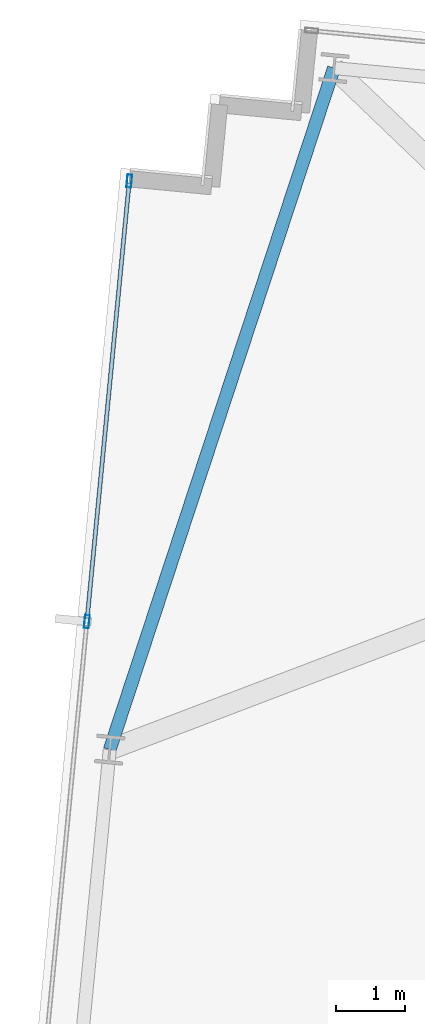
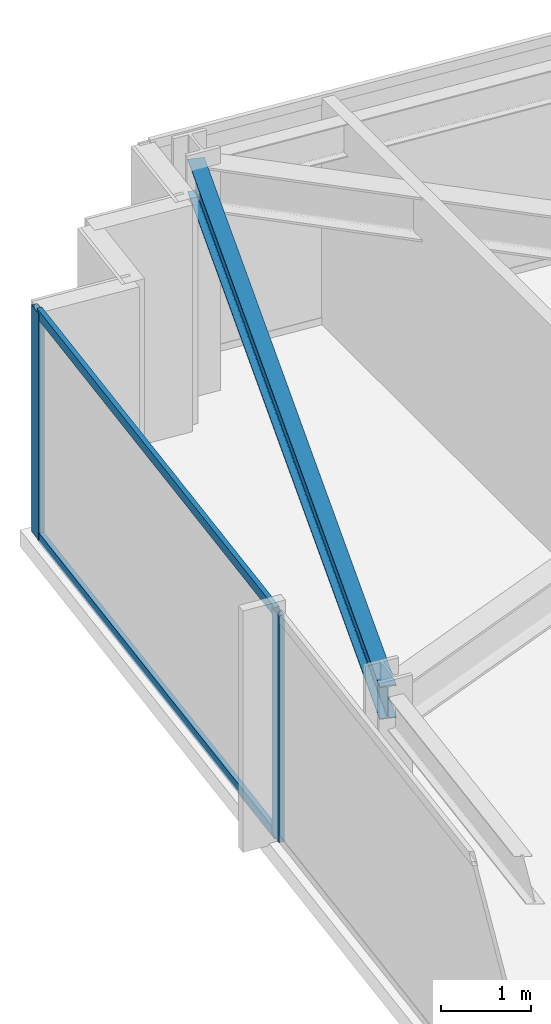
# One storey, part 21 of 38: 4 members, 1 beam, 1 element without a shape of its own.
"""IFC4 building model written with IfcOpenShell, lengths in metres."""

from ifc_helpers import new_model, si_unit, direction, frame, origin, origin_2d, place, context, subcontext, project, spatial, hollow_rectangle, i_section, extrude, material, material_profile, profile_set, type_object, element, aggregate, save


model = new_model("IFC4")

# Units and contexts
model_context = context("Model", 3, precision=1e-05, world=origin(), true_north=direction((0.0, 1.0)))
body_context = subcontext(model_context, "Body", "Model", "MODEL_VIEW")
ifc_project = project(units=[si_unit("LENGTHUNIT", "METRE"), si_unit("AREAUNIT", "SQUARE_METRE"), si_unit("VOLUMEUNIT", "CUBIC_METRE"), si_unit("PLANEANGLEUNIT", "RADIAN"), si_unit("MASSUNIT", "GRAM", prefix="KILO")], contexts=[model_context])

# Site, building, storey
site_placement = place(None, origin())
site = spatial("IfcSite", under=ifc_project, at=site_placement, CompositionType="ELEMENT")
building_placement = place(site_placement, origin())
building = spatial("IfcBuilding", under=site, at=building_placement, Name="Yelkora Congress Tower", CompositionType="ELEMENT")
storey_placement = place(building_placement, frame((0.0, 0.0, 178.699951171875)))
storey = spatial("IfcBuildingStorey", under=building, at=storey_placement, Name="L49", CompositionType="ELEMENT", Elevation=178.699951171875)

# Beam
ifc_material_1 = material(Name="Steel S355J2", Category="steel")
ifc_material_profile_1 = material_profile(ifc_material_1, i_section(OverallWidth=0.18994140625, OverallDepth=0.449951171875, WebThickness=0.009521484375, FlangeThickness=0.0146484375, FilletRadius=0.02099609375, at=origin_2d()), Name="IPE 450")
ifc_profile_set_1 = profile_set([ifc_material_profile_1], Name="Steel S355J2")
beam_type = type_object("IfcBeamType", Name="BM-SPAN-IPE450", PredefinedType="SPANDREL", material=ifc_profile_set_1)
beam_placement = place(storey_placement, frame((7.388916015625, 50.390625, 2.85498046875), z_axis=(-0.312456737339, -0.949931990877, 0.0), x_axis=(0.949931990877, -0.312456737339, 0.0)))
element("IfcBeam", 1, at=beam_placement, inside=storey, type_object=beam_type, Name="L49 Perimeter Beam 16", PredefinedType="SPANDREL", context=body_context, shape_type="SweptSolid", body=[
    extrude(i_section(OverallWidth=0.18994140625, OverallDepth=0.449951171875, WebThickness=0.009521484375, FlangeThickness=0.0146484375, FilletRadius=0.02099609375, at=origin_2d()), origin(), (0.0, 0.0, 1.0), 10.4560546875),
])

# Curtain wall, members
ifc_material_2 = material(Name="Anodised aluminium and insulated glass", Category="aluminium")
curtain_wall_type = type_object("IfcCurtainWallType", Name="CW-SYS-B3", PredefinedType="NOTDEFINED", material=ifc_material_2)
curtain_wall_placement = place(storey_placement, origin())
curtain_wall = element("IfcCurtainWall", 2, at=curtain_wall_placement, inside=storey, type_object=curtain_wall_type, Name="L49 Unitised Curtain Wall 5", PredefinedType="NOTDEFINED")
ifc_material_3 = material(Name="Anodised aluminium 6063-T6", Category="aluminium")
ifc_material_profile_2 = material_profile(ifc_material_3, hollow_rectangle(XDim=0.070068359375, YDim=0.18994140625, WallThickness=0.00390625, at=origin_2d()), Name="ALU 70x190x4")
ifc_profile_set_2 = profile_set([ifc_material_profile_2], Name="Anodised aluminium 6063-T6")
member_type_1 = type_object("IfcMemberType", Name="MEM-ML-B3", PredefinedType="MULLION", material=ifc_profile_set_2)
member_1_placement = place(storey_placement, frame((3.7890625, 42.324462890625, 0.0), z_axis=(0.0, 0.0, 1.0), x_axis=(-0.995396242473, 0.095845294465, 0.0)))
member_1 = element("IfcMember", 3, at=member_1_placement, type_object=member_type_1, Name="CW-B3 mullion 5", PredefinedType="MULLION", context=body_context, shape_type="SweptSolid", body=[
    extrude(hollow_rectangle(XDim=0.070068359375, YDim=0.18994140625, WallThickness=0.00390625, at=origin_2d()), origin(), (0.0, 0.0, 1.0), 3.080078125),
])
member_2_placement = place(storey_placement, frame((4.4072265625, 48.74365234375, 0.0), z_axis=(0.0, 0.0, 1.0), x_axis=(-0.995396242473, 0.095845294465, 0.0)))
member_2 = element("IfcMember", 4, at=member_2_placement, type_object=member_type_1, Name="CW-B3 mullion 6", PredefinedType="MULLION", context=body_context, shape_type="SweptSolid", body=[
    extrude(hollow_rectangle(XDim=0.070068359375, YDim=0.18994140625, WallThickness=0.00390625, at=origin_2d()), origin(), (0.0, 0.0, 1.0), 3.080078125),
])
ifc_material_profile_3 = material_profile(ifc_material_3, hollow_rectangle(XDim=0.06005859375, YDim=0.1298828125, WallThickness=0.00390625, at=origin_2d()), Name="ALU 60x130x4")
ifc_profile_set_3 = profile_set([ifc_material_profile_3], Name="Anodised aluminium 6063-T6")
member_type_2 = type_object("IfcMemberType", Name="MEM-TR-B3", PredefinedType="USERDEFINED", material=ifc_profile_set_3)
member_3_placement = place(storey_placement, frame((3.79248046875, 42.359375, 0.030029296875), z_axis=(0.095834923543, 0.99539724102, 0.0), x_axis=(-0.99539724102, 0.095834923543, 0.0)))
member_3 = element("IfcMember", 5, at=member_3_placement, type_object=member_type_2, Name="CW-B3 transom 5.1", ObjectType="TRANSOM", PredefinedType="USERDEFINED", context=body_context, shape_type="SweptSolid", body=[
    extrude(hollow_rectangle(XDim=0.06005859375, YDim=0.1298828125, WallThickness=0.00390625, at=origin_2d()), origin(), (0.0, 0.0, 1.0), 6.37890625),
])
member_4_placement = place(storey_placement, frame((3.79248046875, 42.359375, 3.050048828125), z_axis=(0.095834923543, 0.99539724102, 0.0), x_axis=(-0.99539724102, 0.095834923543, 0.0)))
member_4 = element("IfcMember", 6, at=member_4_placement, type_object=member_type_2, Name="CW-B3 transom 5.2", ObjectType="TRANSOM", PredefinedType="USERDEFINED", context=body_context, shape_type="SweptSolid", body=[
    extrude(hollow_rectangle(XDim=0.06005859375, YDim=0.1298828125, WallThickness=0.00390625, at=origin_2d()), origin(), (0.0, 0.0, 1.0), 6.37890625),
])
aggregate(curtain_wall, [member_1, member_2, member_3, member_4])

save(model, "model.ifc")
